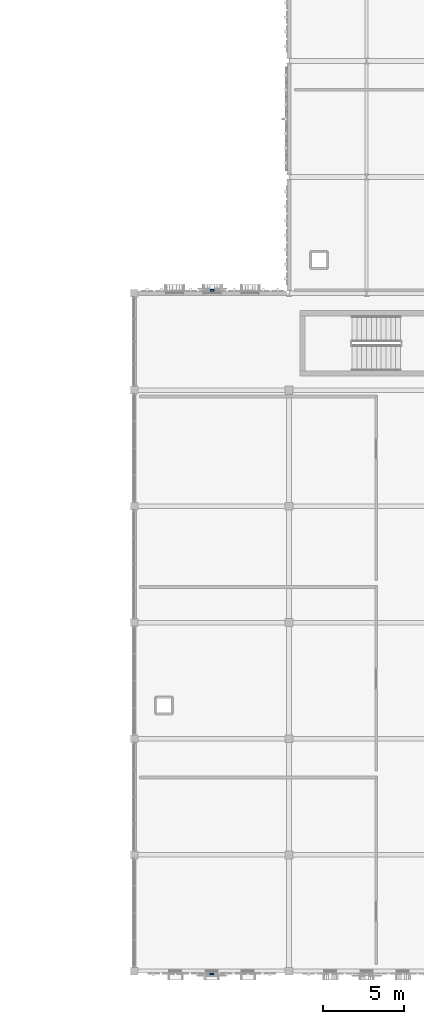
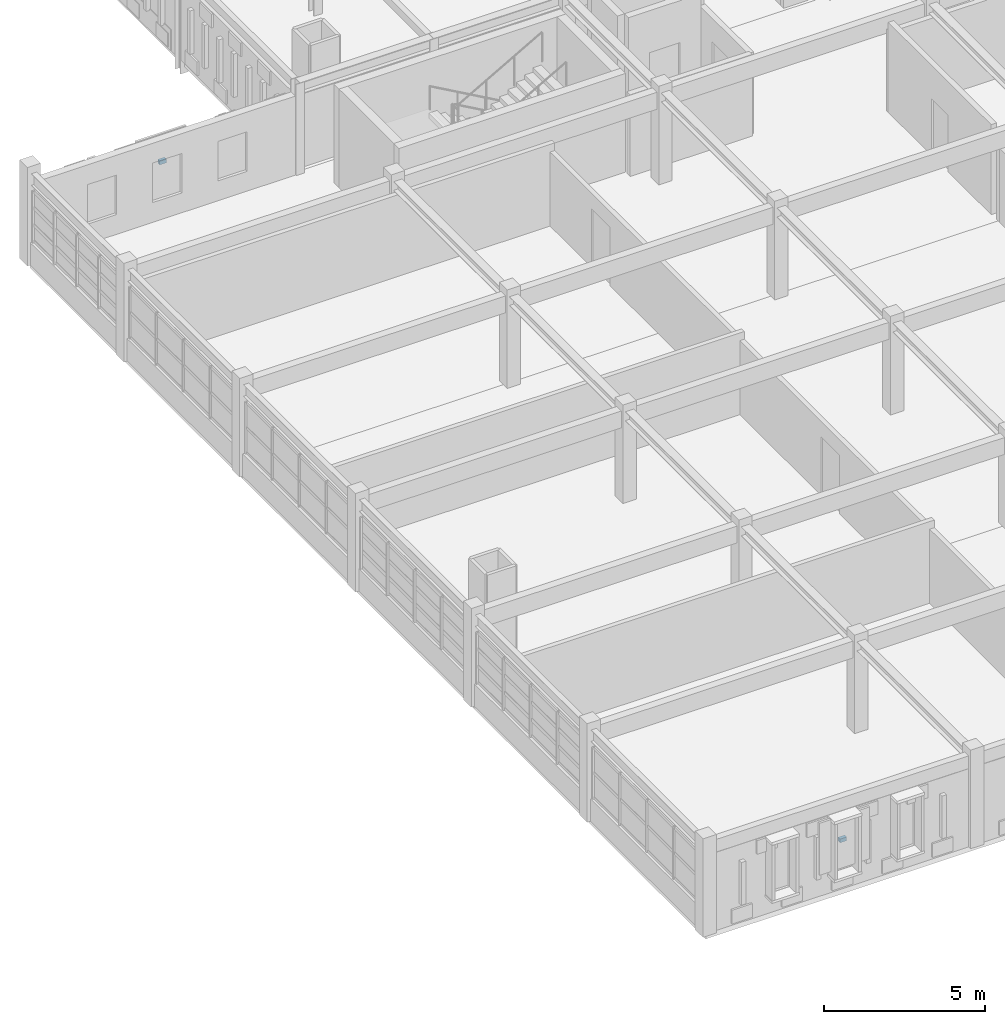
# One storey, part 35 of 53: 2 discrete accessories.
"""IFC4 building model written with IfcOpenShell, lengths in metres."""

from ifc_helpers import new_model, si_unit, direction, frame, origin, origin_2d, place, context, subcontext, project, spatial, rectangle, extrude, material, type_object, element, save


model = new_model("IFC4")

# Units and contexts
model_context = context("Model", 3, precision=1e-05, world=origin(), true_north=direction((0.0, 1.0)))
body_context = subcontext(model_context, "Body", "Model", "MODEL_VIEW")
ifc_project = project(units=[si_unit("LENGTHUNIT", "METRE"), si_unit("AREAUNIT", "SQUARE_METRE"), si_unit("VOLUMEUNIT", "CUBIC_METRE"), si_unit("PLANEANGLEUNIT", "RADIAN"), si_unit("MASSUNIT", "GRAM", prefix="KILO")], contexts=[model_context])

# Site, building, storey
site_placement = place(None, origin())
site = spatial("IfcSite", under=ifc_project, at=site_placement, CompositionType="ELEMENT")
building_placement = place(site_placement, origin())
building = spatial("IfcBuilding", under=site, at=building_placement, Name="Nzembalo Square Collegiate School", CompositionType="ELEMENT")
storey_placement = place(building_placement, frame((0.0, 0.0, 13.60009765625)))
storey = spatial("IfcBuildingStorey", under=building, at=storey_placement, Name="L03", CompositionType="ELEMENT", Elevation=13.60009765625)

# Discrete accessories
ifc_material = material(Name="Steel S355", Category="steel")
discrete_accessory_type = type_object("IfcDiscreteAccessoryType", Name="BK01", PredefinedType="BRACKET", material=ifc_material)
for number, where, z_axis, x_axis, name in (
    (1, (135.64501953125, 50.58740234375, 1.87939453125), (0.0, 0.0, 1.0), (1.0, 0.0, 0.0), "Screen bracket BK01-015"),
    (2, (135.60009765625, 8.222412109375, 1.8642578125), (0.0, 0.0, 1.0), (1.0, 0.0, 0.0), "Screen bracket BK01-017"),
):
    element("IfcDiscreteAccessory", number, at=place(storey_placement, frame(where, z_axis=z_axis, x_axis=x_axis)), inside=storey, type_object=discrete_accessory_type, Name=name, PredefinedType="BRACKET", context=body_context, shape_type="SweptSolid", body=[
        extrude(rectangle(XDim=0.239990234375, YDim=0.1201171875, at=origin_2d()), origin(), (0.0, 0.0, 1.0), 0.139892578125),
    ])

save(model, "model.ifc")
